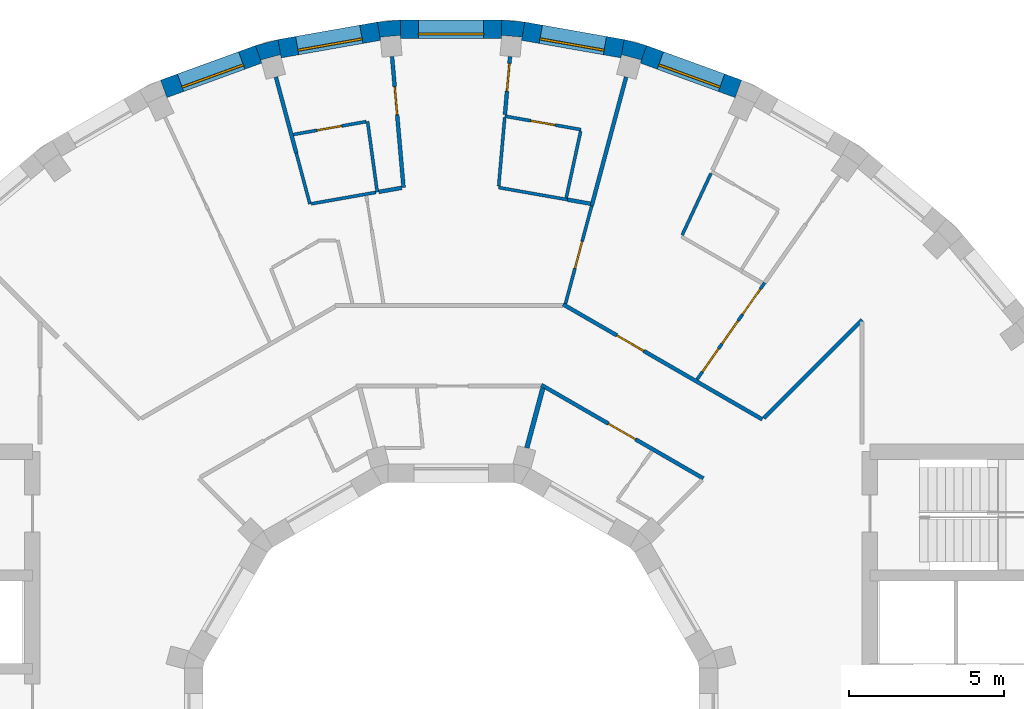
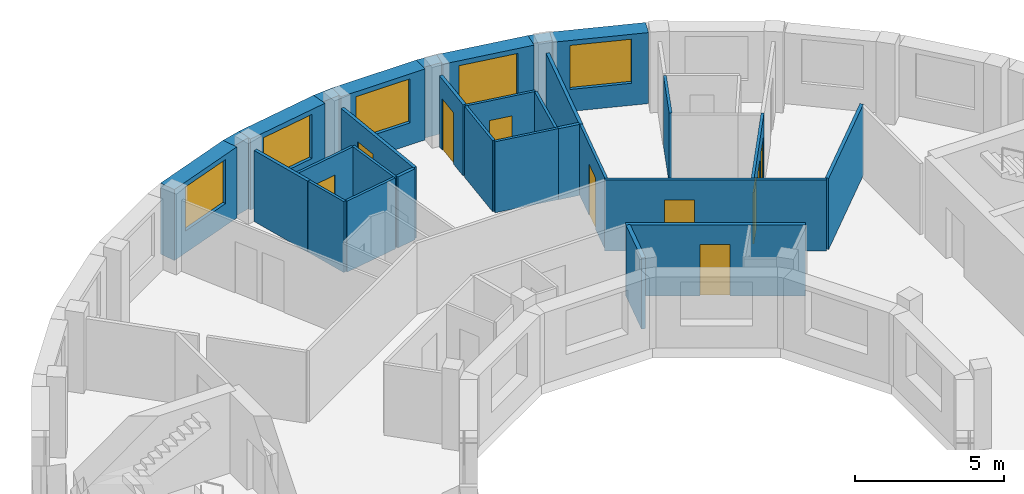
# One storey, part 8 of 10: 30 walls, 10 doors, 5 windows, 15 openings.
"""IFC4 building model written with IfcOpenShell, lengths in metres."""

from ifc_helpers import new_model, si_unit, direction, frame, frame_2d, origin, place, context, subcontext, project, spatial, polyline, rectangle, outline, extrude, material, layer, layer_set, type_object, element, fill, save


model = new_model("IFC4")

# Units and contexts
model_context = context("Model", 3, precision=1e-05, world=origin(), true_north=direction((0.0, 1.0)))
body_context = subcontext(model_context, "Body", "Model", "MODEL_VIEW")
ifc_project = project(units=[si_unit("LENGTHUNIT", "METRE"), si_unit("AREAUNIT", "SQUARE_METRE"), si_unit("VOLUMEUNIT", "CUBIC_METRE"), si_unit("PLANEANGLEUNIT", "RADIAN"), si_unit("MASSUNIT", "GRAM", prefix="KILO")], contexts=[model_context])

# Site, building, storey
site_placement = place(None, origin())
site = spatial("IfcSite", under=ifc_project, at=site_placement, CompositionType="ELEMENT")
building_placement = place(site_placement, origin())
building = spatial("IfcBuilding", under=site, at=building_placement, Name="Saqina Gate Tower", CompositionType="ELEMENT")
storey_placement = place(building_placement, frame((0.0, 0.0, 252.800048828125)))
storey = spatial("IfcBuildingStorey", under=building, at=storey_placement, Name="L72", CompositionType="ELEMENT", Elevation=252.800048828125)

# Walls
ifc_material_1 = material(Name="Brick masonry (buff)", Category="masonry")
wall_type_1 = type_object("IfcWallType", Name="BRICK PIER COPING BUFF", PredefinedType="SOLIDWALL", material=ifc_material_1)
wall_1_placement = place(storey_placement, origin())
element("IfcWall", 1, at=wall_1_placement, inside=storey, type_object=wall_type_1, Name="Pier cap L72 column 8", PredefinedType="SOLIDWALL", context=body_context, shape_type="SweptSolid", body=[
    extrude(outline(polyline([(5.579833984375, 22.281982421875), (5.4755859375, 21.691162109375), (5.5029296875, 21.793212890625), (6.130859375, 21.625), (6.103515625, 21.52294921875), (6.30859375, 22.0869140625), (5.579833984375, 22.281982421875)])), origin(), (0.0, 0.0, 1.0), 2.89990234375),
])
wall_2_placement = place(storey_placement, origin())
element("IfcWall", 2, at=wall_2_placement, inside=storey, type_object=wall_type_1, Name="Pier cap L72 column 9", PredefinedType="SOLIDWALL", context=body_context, shape_type="SweptSolid", body=[
    extrude(outline(polyline([(2.377685546875, 22.8466796875), (1.625732421875, 22.91259765625), (1.625732421875, 22.3125), (1.635009765625, 22.417724609375), (2.28271484375, 22.361083984375), (2.2734375, 22.255859375), (2.377685546875, 22.8466796875)])), origin(), (0.0, 0.0, 1.0), 2.89990234375),
])
wall_3_placement = place(storey_placement, origin())
element("IfcWall", 3, at=wall_3_placement, inside=storey, type_object=wall_type_1, Name="Pier cap L72 column 10", PredefinedType="SOLIDWALL", context=body_context, shape_type="SweptSolid", body=[
    extrude(outline(polyline([(-1.625732421875, 22.91259765625), (-2.377685546875, 22.8466796875), (-2.2734375, 22.255859375), (-2.28271484375, 22.361083984375), (-1.635009765625, 22.417724609375), (-1.625732421875, 22.3125), (-1.625732421875, 22.91259765625)])), origin(), (0.0, 0.0, 1.0), 2.89990234375),
])
wall_4_placement = place(storey_placement, origin())
element("IfcWall", 4, at=wall_4_placement, inside=storey, type_object=wall_type_1, Name="Pier cap L72 column 11", PredefinedType="SOLIDWALL", context=body_context, shape_type="SweptSolid", body=[
    extrude(outline(polyline([(-6.30859375, 22.0869140625), (-6.103515625, 21.52294921875), (-6.130859375, 21.625), (-5.5029296875, 21.793212890625), (-5.4755859375, 21.691162109375), (-5.579833984375, 22.281982421875), (-6.30859375, 22.0869140625)])), origin(), (0.0, 0.0, 1.0), 2.89990234375),
])

# Wall, opening, window
ifc_material_2 = material(Name="Brick masonry (buff)", Category="masonry")
ifc_layer_1 = layer(ifc_material_2, 0.60009765625)
ifc_layer_set_1 = layer_set([ifc_layer_1], Name="FW-BRICK-BUFF")
wall_type_2 = type_object("IfcWallType", Name="FW-BRICK-BUFF", PredefinedType="SOLIDWALL", material=ifc_layer_set_1)
wall_5_placement = place(storey_placement, frame((9.26171875, 20.692626953125, 0.0), z_axis=(0.0, 0.0, 1.0), x_axis=(-0.939679383794, 0.342056509473, 0.0)))
wall_5 = element("IfcWall", 5, at=wall_5_placement, inside=storey, type_object=wall_type_2, Name="Facade wall L72 facet 7", PredefinedType="SOLIDWALL", context=body_context, shape_type="SweptSolid", body=[
    extrude(rectangle(XDim=3.251708984375, YDim=0.60009765625, at=frame_2d((1.6259765625, 0.0))), origin(), (0.0, 0.0, 1.0), 2.89990234375),
])
opening_1_placement = place(wall_5_placement, frame((0.57568359375, 0.0, 0.89990234375)))
opening_1 = element("IfcOpeningElement", 6, at=opening_1_placement, cuts=wall_5, Name="Opening G21-W05", PredefinedType="OPENING", context=body_context, shape_type="SweptSolid", body=[
    extrude(rectangle(XDim=2.10009765625, YDim=1.800048828125, at=frame_2d((1.050048828125, 0.89990234375))), frame((0.0, 0.31201171875, 0.0), z_axis=(0.0, -1.0, 0.0), x_axis=(1.0, 0.0, 0.0)), (0.0, 0.0, 1.0), 0.6240234375),
])
ifc_material_3 = material(Name="Aluminium glazing", Category="aluminium")
window_type = type_object("IfcWindowType", Name="WN-D", PartitioningType="SINGLE_PANEL", PredefinedType="WINDOW", material=ifc_material_3)
window_1_placement = place(opening_1_placement, origin())
window_1 = element("IfcWindow", 7, at=window_1_placement, inside=storey, type_object=window_type, Name="Window L72 facet 7", OverallHeight=1.800048828125, OverallWidth=2.10009765625, PartitioningType="SINGLE_PANEL", PredefinedType="WINDOW", context=body_context, shape_type="SweptSolid", body=[
    extrude(rectangle(XDim=2.10009765625, YDim=1.800048828125, at=frame_2d((1.050048828125, 0.89990234375))), frame((0.0, 0.179931640625, 0.0), z_axis=(0.0, -1.0, 0.0), x_axis=(1.0, 0.0, 0.0)), (0.0, 0.0, 1.0), 0.06005859375),
])
fill(opening_1, window_1)

wall_6_placement = place(storey_placement, frame((5.52783203125, 21.986572265625, 0.0), z_axis=(0.0, 0.0, 1.0), x_axis=(-0.984806225186, 0.173656842178, 0.0)))
wall_6 = element("IfcWall", 8, at=wall_6_placement, inside=storey, type_object=wall_type_2, Name="Facade wall L72 facet 8", PredefinedType="SOLIDWALL", context=body_context, shape_type="SweptSolid", body=[
    extrude(rectangle(XDim=3.251708984375, YDim=0.60009765625, at=frame_2d((1.6259765625, 0.0))), origin(), (0.0, 0.0, 1.0), 2.89990234375),
])
opening_2_placement = place(wall_6_placement, frame((0.57568359375, 0.0, 0.89990234375)))
opening_2 = element("IfcOpeningElement", 9, at=opening_2_placement, cuts=wall_6, Name="Opening G21-W06", PredefinedType="OPENING", context=body_context, shape_type="SweptSolid", body=[
    extrude(rectangle(XDim=2.10009765625, YDim=1.800048828125, at=frame_2d((1.050048828125, 0.89990234375))), frame((0.0, 0.31201171875, 0.0), z_axis=(0.0, -1.0, 0.0), x_axis=(1.0, 0.0, 0.0)), (0.0, 0.0, 1.0), 0.6240234375),
])
window_2_placement = place(opening_2_placement, origin())
window_2 = element("IfcWindow", 10, at=window_2_placement, inside=storey, type_object=window_type, Name="Window L72 facet 8", OverallHeight=1.800048828125, OverallWidth=2.10009765625, PartitioningType="SINGLE_PANEL", PredefinedType="WINDOW", context=body_context, shape_type="SweptSolid", body=[
    extrude(rectangle(XDim=2.10009765625, YDim=1.800048828125, at=frame_2d((1.050048828125, 0.89990234375))), frame((0.0, 0.179931640625, 0.0), z_axis=(0.0, -1.0, 0.0), x_axis=(1.0, 0.0, 0.0)), (0.0, 0.0, 1.0), 0.06005859375),
])
fill(opening_2, window_2)

wall_7_placement = place(storey_placement, frame((1.625732421875, 22.612548828125, 0.0), z_axis=(0.0, 0.0, 1.0), x_axis=(-1.0, 0.0, 0.0)))
wall_7 = element("IfcWall", 11, at=wall_7_placement, inside=storey, type_object=wall_type_2, Name="Facade wall L72 facet 9", PredefinedType="SOLIDWALL", context=body_context, shape_type="SweptSolid", body=[
    extrude(rectangle(XDim=3.25146484375, YDim=0.60009765625, at=frame_2d((1.625732421875, 0.0))), origin(), (0.0, 0.0, 1.0), 2.89990234375),
])
opening_3_placement = place(wall_7_placement, frame((0.57568359375, 0.0, 0.89990234375)))
opening_3 = element("IfcOpeningElement", 12, at=opening_3_placement, cuts=wall_7, Name="Opening G21-W07", PredefinedType="OPENING", context=body_context, shape_type="SweptSolid", body=[
    extrude(rectangle(XDim=2.10009765625, YDim=1.800048828125, at=frame_2d((1.050048828125, 0.89990234375))), frame((0.0, 0.31201171875, 0.0), z_axis=(0.0, -1.0, 0.0), x_axis=(1.0, 0.0, 0.0)), (0.0, 0.0, 1.0), 0.6240234375),
])
window_3_placement = place(opening_3_placement, origin())
window_3 = element("IfcWindow", 13, at=window_3_placement, inside=storey, type_object=window_type, Name="Window L72 facet 9", OverallHeight=1.800048828125, OverallWidth=2.10009765625, PartitioningType="SINGLE_PANEL", PredefinedType="WINDOW", context=body_context, shape_type="SweptSolid", body=[
    extrude(rectangle(XDim=2.10009765625, YDim=1.800048828125, at=frame_2d((1.050048828125, 0.89990234375))), frame((0.0, 0.179931640625, 0.0), z_axis=(0.0, -1.0, 0.0), x_axis=(1.0, 0.0, 0.0)), (0.0, 0.0, 1.0), 0.06005859375),
])
fill(opening_3, window_3)

wall_8_placement = place(storey_placement, frame((-2.325439453125, 22.55126953125, 0.0), z_axis=(0.0, 0.0, 1.0), x_axis=(-0.984806225186, -0.173656842178, 0.0)))
wall_8 = element("IfcWall", 14, at=wall_8_placement, inside=storey, type_object=wall_type_2, Name="Facade wall L72 facet 10", PredefinedType="SOLIDWALL", context=body_context, shape_type="SweptSolid", body=[
    extrude(rectangle(XDim=3.251708984375, YDim=0.60009765625, at=frame_2d((1.6259765625, 0.0))), origin(), (0.0, 0.0, 1.0), 2.89990234375),
])
opening_4_placement = place(wall_8_placement, frame((0.57568359375, 0.0, 0.89990234375)))
opening_4 = element("IfcOpeningElement", 15, at=opening_4_placement, cuts=wall_8, Name="Opening G21-W08", PredefinedType="OPENING", context=body_context, shape_type="SweptSolid", body=[
    extrude(rectangle(XDim=2.10009765625, YDim=1.800048828125, at=frame_2d((1.050048828125, 0.89990234375))), frame((0.0, 0.31201171875, 0.0), z_axis=(0.0, -1.0, 0.0), x_axis=(1.0, 0.0, 0.0)), (0.0, 0.0, 1.0), 0.6240234375),
])
window_4_placement = place(opening_4_placement, origin())
window_4 = element("IfcWindow", 16, at=window_4_placement, inside=storey, type_object=window_type, Name="Window L72 facet 10", OverallHeight=1.800048828125, OverallWidth=2.10009765625, PartitioningType="SINGLE_PANEL", PredefinedType="WINDOW", context=body_context, shape_type="SweptSolid", body=[
    extrude(rectangle(XDim=2.10009765625, YDim=1.800048828125, at=frame_2d((1.050048828125, 0.89990234375))), frame((0.0, 0.179931640625, 0.0), z_axis=(0.0, -1.0, 0.0), x_axis=(1.0, 0.0, 0.0)), (0.0, 0.0, 1.0), 0.06005859375),
])
fill(opening_4, window_4)

wall_9_placement = place(storey_placement, frame((-6.2060546875, 21.804931640625, 0.0), z_axis=(0.0, 0.0, 1.0), x_axis=(-0.939679383794, -0.342056509473, 0.0)))
wall_9 = element("IfcWall", 17, at=wall_9_placement, inside=storey, type_object=wall_type_2, Name="Facade wall L72 facet 11", PredefinedType="SOLIDWALL", context=body_context, shape_type="SweptSolid", body=[
    extrude(rectangle(XDim=3.251708984375, YDim=0.60009765625, at=frame_2d((1.6259765625, 0.0))), origin(), (0.0, 0.0, 1.0), 2.89990234375),
])
opening_5_placement = place(wall_9_placement, frame((0.57568359375, 0.0, 0.89990234375)))
opening_5 = element("IfcOpeningElement", 18, at=opening_5_placement, cuts=wall_9, Name="Opening G21-W09", PredefinedType="OPENING", context=body_context, shape_type="SweptSolid", body=[
    extrude(rectangle(XDim=2.10009765625, YDim=1.800048828125, at=frame_2d((1.050048828125, 0.89990234375))), frame((0.0, 0.31201171875, 0.0), z_axis=(0.0, -1.0, 0.0), x_axis=(1.0, 0.0, 0.0)), (0.0, 0.0, 1.0), 0.6240234375),
])
window_5_placement = place(opening_5_placement, origin())
window_5 = element("IfcWindow", 19, at=window_5_placement, inside=storey, type_object=window_type, Name="Window L72 facet 11", OverallHeight=1.800048828125, OverallWidth=2.10009765625, PartitioningType="SINGLE_PANEL", PredefinedType="WINDOW", context=body_context, shape_type="SweptSolid", body=[
    extrude(rectangle(XDim=2.10009765625, YDim=1.800048828125, at=frame_2d((1.050048828125, 0.89990234375))), frame((0.0, 0.179931640625, 0.0), z_axis=(0.0, -1.0, 0.0), x_axis=(1.0, 0.0, 0.0)), (0.0, 0.0, 1.0), 0.06005859375),
])
fill(opening_5, window_5)

# Walls
ifc_material_4 = material(Name="Gypsum board on steel studs, 100 mm", Category="steel")
ifc_layer_2 = layer(ifc_material_4, 0.10009765625)
ifc_layer_set_2 = layer_set([ifc_layer_2], Name="PARTITION 100")
wall_type_3 = type_object("IfcWallType", Name="PARTITION 100", PredefinedType="PARTITIONING", material=ifc_layer_set_2)
wall_10_placement = place(storey_placement, frame((-2.69189453125, 19.64404296875, 0.0), z_axis=(0.0, 0.0, 1.0), x_axis=(0.135941246579, -0.990716900774, 0.0)))
element("IfcWall", 20, at=wall_10_placement, inside=storey, type_object=wall_type_3, Name="PARTITION PW3-03", PredefinedType="PARTITIONING", context=body_context, shape_type="SweptSolid", body=[
    extrude(rectangle(XDim=2.302490234375, YDim=0.10009765625, at=frame_2d((1.1513671875, 0.0))), origin(), (0.0, 0.0, 1.0), 2.89990234375),
])
wall_11_placement = place(storey_placement, frame((-4.9892578125, 18.62060546875, 0.0), z_axis=(0.0, 0.0, 1.0), x_axis=(0.258601958208, -0.965983968403, 0.0)))
element("IfcWall", 21, at=wall_11_placement, inside=storey, type_object=wall_type_3, Name="PARTITION PW3-06", PredefinedType="PARTITIONING", context=body_context, shape_type="SweptSolid", body=[
    extrude(rectangle(XDim=1.698486328125, YDim=0.10009765625, at=frame_2d((0.84912109375, 0.0))), origin(), (0.0, 0.0, 1.0), 2.89990234375),
])
wall_12_placement = place(storey_placement, frame((1.531982421875, 17.511962890625, 0.0), z_axis=(0.0, 0.0, 1.0), x_axis=(0.984872829854, -0.173278703295, 0.0)))
element("IfcWall", 22, at=wall_12_placement, inside=storey, type_object=wall_type_3, Name="PARTITION PW3-22", PredefinedType="PARTITIONING", context=body_context, shape_type="SweptSolid", body=[
    extrude(rectangle(XDim=2.25439453125, YDim=0.10009765625, at=frame_2d((1.127197265625, 0.0))), origin(), (0.0, 0.0, 1.0), 2.89990234375),
])

# Wall, opening, door
wall_13_placement = place(storey_placement, frame((1.73291015625, 19.81201171875, 0.0), z_axis=(0.0, 0.0, 1.0), x_axis=(0.984805232191, -0.17366247335, 0.0)))
wall_13 = element("IfcWall", 23, at=wall_13_placement, inside=storey, type_object=wall_type_3, Name="PARTITION PW3-23", PredefinedType="PARTITIONING", context=body_context, shape_type="SweptSolid", body=[
    extrude(rectangle(XDim=2.493896484375, YDim=0.10009765625, at=frame_2d((1.2470703125, 0.0))), origin(), (0.0, 0.0, 1.0), 2.89990234375),
])
opening_6_placement = place(wall_13_placement, frame((0.846923828125, 0.0, 0.0)))
opening_6 = element("IfcOpeningElement", 24, at=opening_6_placement, cuts=wall_13, Name="Opening G21-D10", PredefinedType="OPENING", context=body_context, shape_type="SweptSolid", body=[
    extrude(rectangle(XDim=0.800048828125, YDim=2.10009765625, at=frame_2d((0.39990234375, 1.050048828125))), frame((0.0, 0.06201171875, 0.0), z_axis=(0.0, -1.0, 0.0), x_axis=(1.0, 0.0, 0.0)), (0.0, 0.0, 1.0), 0.1240234375),
])
ifc_material_5 = material(Name="Timber door leaf, 800 mm", Category="wood")
door_type_1 = type_object("IfcDoorType", Name="DOOR 800 TIMBER", OperationType="SINGLE_SWING_LEFT", PredefinedType="DOOR", material=ifc_material_5)
door_1_placement = place(opening_6_placement, origin())
door_1 = element("IfcDoor", 25, at=door_1_placement, inside=storey, type_object=door_type_1, Name="DOOR G21-D10", OperationType="SINGLE_SWING_LEFT", OverallHeight=2.10009765625, OverallWidth=0.800048828125, PredefinedType="DOOR", context=body_context, shape_type="SweptSolid", body=[
    extrude(rectangle(XDim=0.800048828125, YDim=2.10009765625, at=frame_2d((0.39990234375, 1.050048828125))), frame((0.0, 0.02490234375, 0.0), z_axis=(0.0, -1.0, 0.0), x_axis=(1.0, 0.0, 0.0)), (0.0, 0.0, 1.0), 0.050048828125),
])
fill(opening_6, door_1)

# Wall
wall_14_placement = place(storey_placement, frame((-4.499755859375, 16.98876953125, 0.0), z_axis=(0.0, 0.0, 1.0), x_axis=(0.984790568505, 0.173745607667, 0.0)))
element("IfcWall", 26, at=wall_14_placement, inside=storey, type_object=wall_type_3, Name="PARTITION PW3-30", PredefinedType="PARTITIONING", context=body_context, shape_type="SweptSolid", body=[
    extrude(rectangle(XDim=2.103515625, YDim=0.10009765625, at=frame_2d((1.0517578125, 0.0))), origin(), (0.0, 0.0, 1.0), 2.89990234375),
])

# Wall, opening, door
wall_15_placement = place(storey_placement, frame((-5.08544921875, 19.220947265625, 0.0), z_axis=(0.0, 0.0, 1.0), x_axis=(0.984739131799, 0.174036899257, 0.0)))
wall_15 = element("IfcWall", 27, at=wall_15_placement, inside=storey, type_object=wall_type_3, Name="PARTITION PW3-31", PredefinedType="PARTITIONING", context=body_context, shape_type="SweptSolid", body=[
    extrude(rectangle(XDim=2.380615234375, YDim=0.10009765625, at=frame_2d((1.1904296875, 0.0))), origin(), (0.0, 0.0, 1.0), 2.89990234375),
])
opening_7_placement = place(wall_15_placement, frame((0.783935546875, 0.0, 0.0)))
opening_7 = element("IfcOpeningElement", 28, at=opening_7_placement, cuts=wall_15, Name="Opening G21-D16", PredefinedType="OPENING", context=body_context, shape_type="SweptSolid", body=[
    extrude(rectangle(XDim=0.800048828125, YDim=2.10009765625, at=frame_2d((0.39990234375, 1.050048828125))), frame((0.0, 0.06201171875, 0.0), z_axis=(0.0, -1.0, 0.0), x_axis=(1.0, 0.0, 0.0)), (0.0, 0.0, 1.0), 0.1240234375),
])
door_2_placement = place(opening_7_placement, origin())
door_2 = element("IfcDoor", 29, at=door_2_placement, inside=storey, type_object=door_type_1, Name="DOOR G21-D16", OperationType="SINGLE_SWING_LEFT", OverallHeight=2.10009765625, OverallWidth=0.800048828125, PredefinedType="DOOR", context=body_context, shape_type="SweptSolid", body=[
    extrude(rectangle(XDim=0.800048828125, YDim=2.10009765625, at=frame_2d((0.39990234375, 1.050048828125))), frame((0.0, 0.02490234375, 0.0), z_axis=(0.0, -1.0, 0.0), x_axis=(1.0, 0.0, 0.0)), (0.0, 0.0, 1.0), 0.050048828125),
])
fill(opening_7, door_2)

# Wall, openings, doors
wall_16_placement = place(storey_placement, frame((7.93017578125, 11.3251953125, 0.0), z_axis=(0.0, 0.0, 1.0), x_axis=(0.57357434303, 0.819153510044, 0.0)))
wall_16 = element("IfcWall", 30, at=wall_16_placement, inside=storey, type_object=wall_type_3, Name="PARTITION PW3-37", PredefinedType="PARTITIONING", context=body_context, shape_type="SweptSolid", body=[
    extrude(rectangle(XDim=3.803466796875, YDim=0.10009765625, at=frame_2d((1.90185546875, 0.0))), origin(), (0.0, 0.0, 1.0), 2.89990234375),
])
opening_8_placement = place(wall_16_placement, frame((0.30615234375, 0.0, 0.0)))
opening_8 = element("IfcOpeningElement", 31, at=opening_8_placement, cuts=wall_16, Name="Opening G21-D02", PredefinedType="OPENING", context=body_context, shape_type="SweptSolid", body=[
    extrude(rectangle(XDim=0.89990234375, YDim=2.10009765625, at=frame_2d((0.449951171875, 1.050048828125))), frame((0.0, 0.06201171875, 0.0), z_axis=(0.0, -1.0, 0.0), x_axis=(1.0, 0.0, 0.0)), (0.0, 0.0, 1.0), 0.1240234375),
])
opening_9_placement = place(wall_16_placement, frame((1.406005859375, 0.0, 0.0)))
opening_9 = element("IfcOpeningElement", 32, at=opening_9_placement, cuts=wall_16, Name="Opening G21-D03", PredefinedType="OPENING", context=body_context, shape_type="SweptSolid", body=[
    extrude(rectangle(XDim=0.89990234375, YDim=2.10009765625, at=frame_2d((0.449951171875, 1.050048828125))), frame((0.0, 0.06201171875, 0.0), z_axis=(0.0, -1.0, 0.0), x_axis=(1.0, 0.0, 0.0)), (0.0, 0.0, 1.0), 0.1240234375),
])
opening_10_placement = place(wall_16_placement, frame((2.55615234375, 0.0, 0.0)))
opening_10 = element("IfcOpeningElement", 33, at=opening_10_placement, cuts=wall_16, Name="Opening G21-D04", PredefinedType="OPENING", context=body_context, shape_type="SweptSolid", body=[
    extrude(rectangle(XDim=1.0, YDim=2.10009765625, at=frame_2d((0.5, 1.050048828125))), frame((0.0, 0.06201171875, 0.0), z_axis=(0.0, -1.0, 0.0), x_axis=(1.0, 0.0, 0.0)), (0.0, 0.0, 1.0), 0.1240234375),
])
ifc_material_6 = material(Name="Timber door leaf, 1000 mm", Category="wood")
door_type_2 = type_object("IfcDoorType", Name="DOOR 1000 TIMBER", OperationType="SINGLE_SWING_LEFT", PredefinedType="DOOR", material=ifc_material_6)
door_3_placement = place(opening_10_placement, frame((1.0, 0.0, 0.0), z_axis=(0.0, 0.0, 1.0), x_axis=(-1.0, 0.0, 0.0)))
door_3 = element("IfcDoor", 34, at=door_3_placement, inside=storey, type_object=door_type_2, Name="DOOR G21-D04", OperationType="SINGLE_SWING_LEFT", OverallHeight=2.10009765625, OverallWidth=1.0, PredefinedType="DOOR", context=body_context, shape_type="SweptSolid", body=[
    extrude(rectangle(XDim=1.0, YDim=2.10009765625, at=frame_2d((0.5, 1.050048828125))), frame((0.0, 0.02490234375, 0.0), z_axis=(0.0, -1.0, 0.0), x_axis=(1.0, 0.0, 0.0)), (0.0, 0.0, 1.0), 0.050048828125),
])
fill(opening_10, door_3)
ifc_material_7 = material(Name="Timber door leaf, 900 mm", Category="wood")
door_type_3 = type_object("IfcDoorType", Name="DOOR 900 TIMBER", OperationType="SINGLE_SWING_LEFT", PredefinedType="DOOR", material=ifc_material_7)
door_4_placement = place(opening_8_placement, frame((0.89990234375, 0.0, 0.0), z_axis=(0.0, 0.0, 1.0), x_axis=(-1.0, 0.0, 0.0)))
door_4 = element("IfcDoor", 35, at=door_4_placement, inside=storey, type_object=door_type_3, Name="DOOR G21-D02", OperationType="SINGLE_SWING_RIGHT", OverallHeight=2.10009765625, OverallWidth=0.89990234375, PredefinedType="DOOR", context=body_context, shape_type="SweptSolid", body=[
    extrude(rectangle(XDim=0.89990234375, YDim=2.10009765625, at=frame_2d((0.449951171875, 1.050048828125))), frame((0.0, 0.02490234375, 0.0), z_axis=(0.0, -1.0, 0.0), x_axis=(1.0, 0.0, 0.0)), (0.0, 0.0, 1.0), 0.050048828125),
])
fill(opening_8, door_4)
door_5_placement = place(opening_9_placement, frame((0.89990234375, 0.0, 0.0), z_axis=(0.0, 0.0, 1.0), x_axis=(-1.0, 0.0, 0.0)))
door_5 = element("IfcDoor", 36, at=door_5_placement, inside=storey, type_object=door_type_3, Name="DOOR G21-D03", OperationType="SINGLE_SWING_RIGHT", OverallHeight=2.10009765625, OverallWidth=0.89990234375, PredefinedType="DOOR", context=body_context, shape_type="SweptSolid", body=[
    extrude(rectangle(XDim=0.89990234375, YDim=2.10009765625, at=frame_2d((0.449951171875, 1.050048828125))), frame((0.0, 0.02490234375, 0.0), z_axis=(0.0, -1.0, 0.0), x_axis=(1.0, 0.0, 0.0)), (0.0, 0.0, 1.0), 0.050048828125),
])
fill(opening_9, door_5)

# Wall
wall_17_placement = place(storey_placement, frame((7.4501953125, 15.977294921875, 0.0), z_axis=(0.0, 0.0, 1.0), x_axis=(0.422642091252, 0.906296674772, 0.0)))
element("IfcWall", 37, at=wall_17_placement, inside=storey, type_object=wall_type_3, Name="PARTITION PW3-41", PredefinedType="PARTITIONING", context=body_context, shape_type="SweptSolid", body=[
    extrude(rectangle(XDim=2.19677734375, YDim=0.10009765625, at=frame_2d((1.098388671875, 0.0))), origin(), (0.0, 0.0, 1.0), 2.89990234375),
])

# Wall, opening, door
wall_18_placement = place(storey_placement, frame((3.690185546875, 13.770263671875, 0.0), z_axis=(0.0, 0.0, 1.0), x_axis=(0.258711132493, 0.965954734925, 0.0)))
wall_18 = element("IfcWall", 38, at=wall_18_placement, inside=storey, type_object=wall_type_3, Name="PARTITION PW3-43", PredefinedType="PARTITIONING", context=body_context, shape_type="SweptSolid", body=[
    extrude(rectangle(XDim=3.260498046875, YDim=0.10009765625, at=frame_2d((1.63037109375, 0.0))), origin(), (0.0, 0.0, 1.0), 2.89990234375),
])
opening_11_placement = place(wall_18_placement, frame((1.1806640625, 0.0, 0.0)))
opening_11 = element("IfcOpeningElement", 39, at=opening_11_placement, cuts=wall_18, Name="Opening G21-D09", PredefinedType="OPENING", context=body_context, shape_type="SweptSolid", body=[
    extrude(rectangle(XDim=0.89990234375, YDim=2.10009765625, at=frame_2d((0.449951171875, 1.050048828125))), frame((0.0, 0.06201171875, 0.0), z_axis=(0.0, -1.0, 0.0), x_axis=(1.0, 0.0, 0.0)), (0.0, 0.0, 1.0), 0.1240234375),
])
door_6_placement = place(opening_11_placement, origin())
door_6 = element("IfcDoor", 40, at=door_6_placement, inside=storey, type_object=door_type_3, Name="DOOR G21-D09", OperationType="SINGLE_SWING_RIGHT", OverallHeight=2.10009765625, OverallWidth=0.89990234375, PredefinedType="DOOR", context=body_context, shape_type="SweptSolid", body=[
    extrude(rectangle(XDim=0.89990234375, YDim=2.10009765625, at=frame_2d((0.449951171875, 1.050048828125))), frame((0.0, 0.02490234375, 0.0), z_axis=(0.0, -1.0, 0.0), x_axis=(1.0, 0.0, 0.0)), (0.0, 0.0, 1.0), 0.050048828125),
])
fill(opening_11, door_6)

# Walls
wall_19_placement = place(storey_placement, frame((3.713623046875, 17.178955078125, 0.0), z_axis=(0.0, 0.0, 1.0), x_axis=(0.21121821869, 0.977438931133, 0.0)))
element("IfcWall", 41, at=wall_19_placement, inside=storey, type_object=wall_type_3, Name="PARTITION PW3-46", PredefinedType="PARTITIONING", context=body_context, shape_type="SweptSolid", body=[
    extrude(rectangle(XDim=2.20068359375, YDim=0.10009765625, at=frame_2d((1.100341796875, 0.0))), origin(), (0.0, 0.0, 1.0), 2.89990234375),
])
wall_20_placement = place(storey_placement, frame((1.536376953125, 17.562744140625, 0.0), z_axis=(0.0, 0.0, 1.0), x_axis=(0.087135400637, 0.996196477587, 0.0)))
element("IfcWall", 42, at=wall_20_placement, inside=storey, type_object=wall_type_3, Name="PARTITION PW3-50", PredefinedType="PARTITIONING", context=body_context, shape_type="SweptSolid", body=[
    extrude(rectangle(XDim=2.207763671875, YDim=0.10009765625, at=frame_2d((1.10400390625, 0.0))), origin(), (0.0, 0.0, 1.0), 2.89990234375),
])

# Wall, opening, door
ifc_material_8 = material(Name="Gypsum board on steel studs, 125 mm, fire rated", Category="steel")
ifc_layer_3 = layer(ifc_material_8, 0.125)
ifc_layer_set_3 = layer_set([ifc_layer_3], Name="PARTITION EI 30 125")
wall_type_4 = type_object("IfcWallType", Name="PARTITION EI 30 125", PredefinedType="PARTITIONING", material=ifc_layer_set_3)
wall_21_placement = place(storey_placement, frame((-1.9013671875, 21.73193359375, 0.0), z_axis=(0.0, 0.0, 1.0), x_axis=(0.087219152914, -0.996189148387, 0.0)))
wall_21 = element("IfcWall", 43, at=wall_21_placement, inside=storey, type_object=wall_type_4, Name="PARTITION PW1-01", PredefinedType="PARTITIONING", context=body_context, shape_type="SweptSolid", body=[
    extrude(rectangle(XDim=4.235107421875, YDim=0.125, at=frame_2d((2.11767578125, 0.0))), origin(), (0.0, 0.0, 1.0), 2.89990234375),
])
opening_12_placement = place(wall_21_placement, frame((0.97607421875, 0.0, 0.0)))
opening_12 = element("IfcOpeningElement", 44, at=opening_12_placement, cuts=wall_21, Name="Opening G21-D13", PredefinedType="OPENING", context=body_context, shape_type="SweptSolid", body=[
    extrude(rectangle(XDim=0.89990234375, YDim=2.10009765625, at=frame_2d((0.449951171875, 1.050048828125))), frame((0.0, 0.074462890625, 0.0), z_axis=(0.0, -1.0, 0.0), x_axis=(1.0, 0.0, 0.0)), (0.0, 0.0, 1.0), 0.14892578125),
])
ifc_material_9 = material(Name="Fire door leaf EI 30, 900 mm")
door_type_4 = type_object("IfcDoorType", Name="DOOR 900 EI 30", OperationType="SINGLE_SWING_LEFT", PredefinedType="DOOR", material=ifc_material_9)
door_7_placement = place(opening_12_placement, origin())
door_7 = element("IfcDoor", 45, at=door_7_placement, inside=storey, type_object=door_type_4, Name="DOOR G21-D13", OperationType="SINGLE_SWING_LEFT", OverallHeight=2.10009765625, OverallWidth=0.89990234375, PredefinedType="DOOR", context=body_context, shape_type="SweptSolid", body=[
    extrude(rectangle(XDim=0.89990234375, YDim=2.10009765625, at=frame_2d((0.449951171875, 1.050048828125))), frame((0.0, 0.02490234375, 0.0), z_axis=(0.0, -1.0, 0.0), x_axis=(1.0, 0.0, 0.0)), (0.0, 0.0, 1.0), 0.050048828125),
])
fill(opening_12, door_7)

# Wall
wall_22_placement = place(storey_placement, frame((-5.64599609375, 21.07177734375, 0.0), z_axis=(0.0, 0.0, 1.0), x_axis=(0.258914025253, -0.965900371429, 0.0)))
element("IfcWall", 46, at=wall_22_placement, inside=storey, type_object=wall_type_4, Name="PARTITION PW1-03", PredefinedType="PARTITIONING", context=body_context, shape_type="SweptSolid", body=[
    extrude(rectangle(XDim=2.537353515625, YDim=0.125, at=frame_2d((1.2685546875, 0.0))), origin(), (0.0, 0.0, 1.0), 2.89990234375),
])

# Wall, opening, door
wall_23_placement = place(storey_placement, frame((2.91455078125, 11.14599609375, 0.0), z_axis=(0.0, 0.0, 1.0), x_axis=(0.866022982797, -0.500004193249, 0.0)))
wall_23 = element("IfcWall", 47, at=wall_23_placement, inside=storey, type_object=wall_type_4, Name="PARTITION PW1-11", PredefinedType="PARTITIONING", context=body_context, shape_type="SweptSolid", body=[
    extrude(rectangle(XDim=6.02587890625, YDim=0.125, at=frame_2d((3.012939453125, 0.0))), origin(), (0.0, 0.0, 1.0), 2.89990234375),
])
opening_13_placement = place(wall_23_placement, frame((2.498291015625, 0.0, 0.0)))
opening_13 = element("IfcOpeningElement", 48, at=opening_13_placement, cuts=wall_23, Name="Opening G21-D06", PredefinedType="OPENING", context=body_context, shape_type="SweptSolid", body=[
    extrude(rectangle(XDim=1.0, YDim=2.10009765625, at=frame_2d((0.5, 1.050048828125))), frame((0.0, 0.074462890625, 0.0), z_axis=(0.0, -1.0, 0.0), x_axis=(1.0, 0.0, 0.0)), (0.0, 0.0, 1.0), 0.14892578125),
])
ifc_material_10 = material(Name="Fire door leaf EI 30, 1000 mm")
door_type_5 = type_object("IfcDoorType", Name="DOOR 1000 EI 30", OperationType="SINGLE_SWING_LEFT", PredefinedType="DOOR", material=ifc_material_10)
door_8_placement = place(opening_13_placement, origin())
door_8 = element("IfcDoor", 49, at=door_8_placement, inside=storey, type_object=door_type_5, Name="DOOR G21-D06", OperationType="SINGLE_SWING_LEFT", OverallHeight=2.10009765625, OverallWidth=1.0, PredefinedType="DOOR", context=body_context, shape_type="SweptSolid", body=[
    extrude(rectangle(XDim=1.0, YDim=2.10009765625, at=frame_2d((0.5, 1.050048828125))), frame((0.0, 0.02490234375, 0.0), z_axis=(0.0, -1.0, 0.0), x_axis=(1.0, 0.0, 0.0)), (0.0, 0.0, 1.0), 0.050048828125),
])
fill(opening_13, door_8)

wall_24_placement = place(storey_placement, frame((3.610595703125, 13.74658203125, 0.0), z_axis=(0.0, 0.0, 1.0), x_axis=(0.865964194244, -0.500106003051, 0.0)))
wall_24 = element("IfcWall", 50, at=wall_24_placement, inside=storey, type_object=wall_type_4, Name="PARTITION PW1-12", PredefinedType="PARTITIONING", context=body_context, shape_type="SweptSolid", body=[
    extrude(rectangle(XDim=7.419921875, YDim=0.125, at=frame_2d((3.7099609375, 0.0))), origin(), (0.0, 0.0, 1.0), 2.89990234375),
])
opening_14_placement = place(wall_24_placement, frame((2.00732421875, 0.0, 0.0)))
opening_14 = element("IfcOpeningElement", 51, at=opening_14_placement, cuts=wall_24, Name="Opening G21-D08", PredefinedType="OPENING", context=body_context, shape_type="SweptSolid", body=[
    extrude(rectangle(XDim=1.0, YDim=2.10009765625, at=frame_2d((0.5, 1.050048828125))), frame((0.0, 0.074462890625, 0.0), z_axis=(0.0, -1.0, 0.0), x_axis=(1.0, 0.0, 0.0)), (0.0, 0.0, 1.0), 0.14892578125),
])
door_9_placement = place(opening_14_placement, origin())
door_9 = element("IfcDoor", 52, at=door_9_placement, inside=storey, type_object=door_type_5, Name="DOOR G21-D08", OperationType="SINGLE_SWING_LEFT", OverallHeight=2.10009765625, OverallWidth=1.0, PredefinedType="DOOR", context=body_context, shape_type="SweptSolid", body=[
    extrude(rectangle(XDim=1.0, YDim=2.10009765625, at=frame_2d((0.5, 1.050048828125))), frame((0.0, 0.02490234375, 0.0), z_axis=(0.0, -1.0, 0.0), x_axis=(1.0, 0.0, 0.0)), (0.0, 0.0, 1.0), 0.050048828125),
])
fill(opening_14, door_9)

# Walls
wall_25_placement = place(storey_placement, frame((3.752197265625, 17.12109375, 0.0), z_axis=(0.0, 0.0, 1.0), x_axis=(0.984637536595, -0.174610771512, 0.0)))
element("IfcWall", 53, at=wall_25_placement, inside=storey, type_object=wall_type_4, Name="PARTITION PW1-15", PredefinedType="PARTITIONING", context=body_context, shape_type="SweptSolid", body=[
    extrude(rectangle(XDim=0.75927734375, YDim=0.125, at=frame_2d((0.379638671875, 0.0))), origin(), (0.0, 0.0, 1.0), 2.89990234375),
])
wall_26_placement = place(storey_placement, frame((-2.329833984375, 17.37158203125, 0.0), z_axis=(0.0, 0.0, 1.0), x_axis=(0.984852515296, 0.173394126532, 0.0)))
element("IfcWall", 54, at=wall_26_placement, inside=storey, type_object=wall_type_4, Name="PARTITION PW1-22", PredefinedType="PARTITIONING", context=body_context, shape_type="SweptSolid", body=[
    extrude(rectangle(XDim=0.74755859375, YDim=0.125, at=frame_2d((0.373779296875, 0.0))), origin(), (0.0, 0.0, 1.0), 2.89990234375),
])
wall_27_placement = place(storey_placement, frame((10.080078125, 10.080078125, 0.0), z_axis=(0.0, 0.0, 1.0), x_axis=(0.707106781187, 0.707106781187, 0.0)))
element("IfcWall", 55, at=wall_27_placement, inside=storey, type_object=wall_type_4, Name="PARTITION PW1-30", PredefinedType="PARTITIONING", context=body_context, shape_type="SweptSolid", body=[
    extrude(rectangle(XDim=4.48291015625, YDim=0.125, at=frame_2d((2.241455078125, 0.0))), origin(), (0.0, 0.0, 1.0), 2.89990234375),
])
wall_28_placement = place(storey_placement, frame((4.533935546875, 16.919677734375, 0.0), z_axis=(0.0, 0.0, 1.0), x_axis=(0.258154015952, 0.966103774989, 0.0)))
element("IfcWall", 56, at=wall_28_placement, inside=storey, type_object=wall_type_4, Name="PARTITION PW1-36", PredefinedType="PARTITIONING", context=body_context, shape_type="SweptSolid", body=[
    extrude(rectangle(XDim=4.29833984375, YDim=0.125, at=frame_2d((2.149169921875, 0.0))), origin(), (0.0, 0.0, 1.0), 2.89990234375),
])

# Wall, opening, door
wall_29_placement = place(storey_placement, frame((1.7373046875, 19.86181640625, 0.0), z_axis=(0.0, 0.0, 1.0), x_axis=(0.08726374649, 0.996185243089, 0.0)))
wall_29 = element("IfcWall", 57, at=wall_29_placement, inside=storey, type_object=wall_type_4, Name="PARTITION PW1-37", PredefinedType="PARTITIONING", context=body_context, shape_type="SweptSolid", body=[
    extrude(rectangle(XDim=1.877197265625, YDim=0.125, at=frame_2d((0.9384765625, 0.0))), origin(), (0.0, 0.0, 1.0), 2.89990234375),
])
opening_15_placement = place(wall_29_placement, frame((0.7548828125, 0.0, 0.0)))
opening_15 = element("IfcOpeningElement", 58, at=opening_15_placement, cuts=wall_29, Name="Opening G21-D11", PredefinedType="OPENING", context=body_context, shape_type="SweptSolid", body=[
    extrude(rectangle(XDim=0.89990234375, YDim=2.10009765625, at=frame_2d((0.449951171875, 1.050048828125))), frame((0.0, 0.074462890625, 0.0), z_axis=(0.0, -1.0, 0.0), x_axis=(1.0, 0.0, 0.0)), (0.0, 0.0, 1.0), 0.14892578125),
])
door_10_placement = place(opening_15_placement, origin())
door_10 = element("IfcDoor", 59, at=door_10_placement, inside=storey, type_object=door_type_4, Name="DOOR G21-D11", OperationType="SINGLE_SWING_RIGHT", OverallHeight=2.10009765625, OverallWidth=0.89990234375, PredefinedType="DOOR", context=body_context, shape_type="SweptSolid", body=[
    extrude(rectangle(XDim=0.89990234375, YDim=2.10009765625, at=frame_2d((0.449951171875, 1.050048828125))), frame((0.0, 0.02490234375, 0.0), z_axis=(0.0, -1.0, 0.0), x_axis=(1.0, 0.0, 0.0)), (0.0, 0.0, 1.0), 0.050048828125),
])
fill(opening_15, door_10)

# Wall
ifc_material_11 = material(Name="Gypsum board on steel studs, 150 mm, fire rated", Category="steel")
ifc_layer_4 = layer(ifc_material_11, 0.14990234375)
ifc_layer_set_4 = layer_set([ifc_layer_4], Name="PARTITION EI 60 150")
wall_type_5 = type_object("IfcWallType", Name="PARTITION EI 60 150", PredefinedType="PARTITIONING", material=ifc_layer_set_4)
wall_30_placement = place(storey_placement, frame((2.444091796875, 9.120361328125, 0.0), z_axis=(0.0, 0.0, 1.0), x_axis=(0.258780892738, 0.965936048377, 0.0)))
element("IfcWall", 60, at=wall_30_placement, inside=storey, type_object=wall_type_5, Name="PARTITION PW2-10", PredefinedType="PARTITIONING", context=body_context, shape_type="SweptSolid", body=[
    extrude(rectangle(XDim=1.997314453125, YDim=0.14990234375, at=frame_2d((0.99853515625, 0.0))), origin(), (0.0, 0.0, 1.0), 2.89990234375),
])

save(model, "model.ifc")
